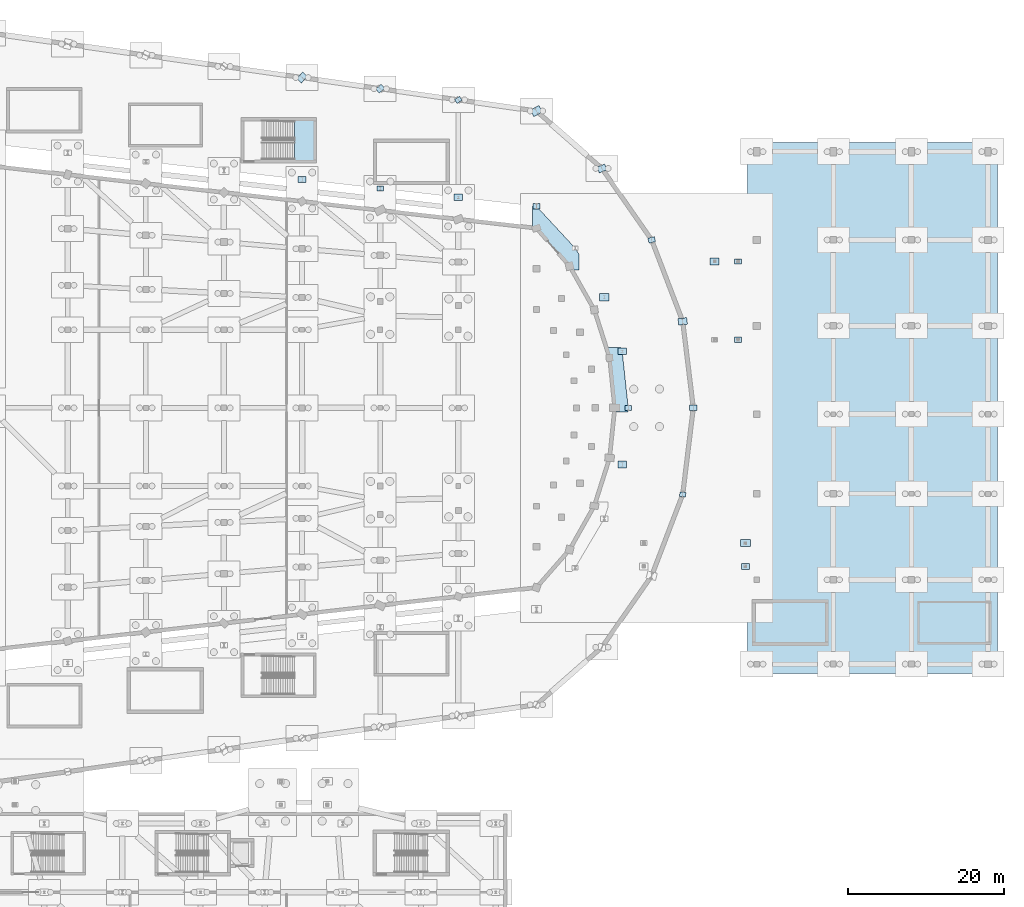
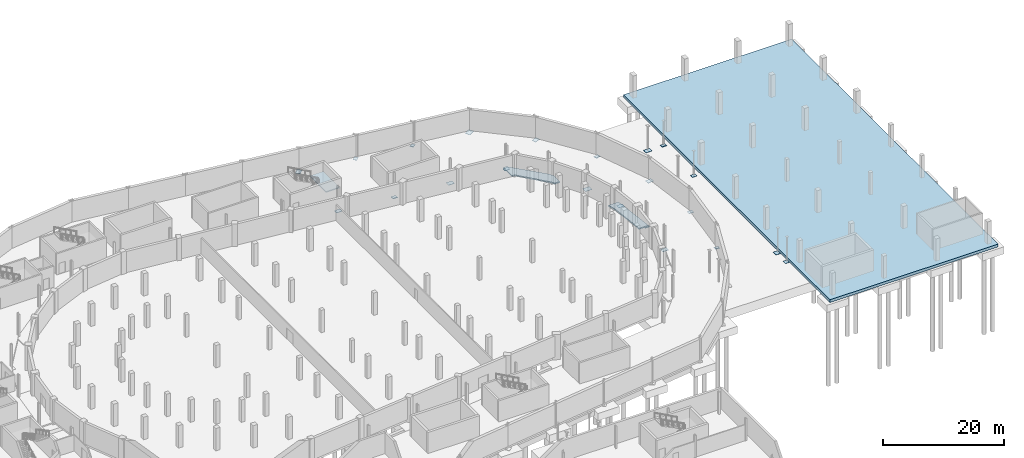
# One storey, part 37 of 55: 22 plates, 4 slabs, 1 element without a shape of its own.
"""IFC4 building model written with IfcOpenShell, lengths in metres."""

from ifc_helpers import new_model, si_unit, direction, frame, origin, origin_2d, place, context, subcontext, project, spatial, polyline, rectangle, outline, extrude, material, layer, layer_set, type_object, element, aggregate, save


model = new_model("IFC4")

# Units and contexts
model_context = context("Model", 3, precision=1e-05, world=origin(), true_north=direction((0.0, 1.0)))
body_context = subcontext(model_context, "Body", "Model", "MODEL_VIEW")
ifc_project = project(units=[si_unit("LENGTHUNIT", "METRE"), si_unit("AREAUNIT", "SQUARE_METRE"), si_unit("VOLUMEUNIT", "CUBIC_METRE"), si_unit("PLANEANGLEUNIT", "RADIAN"), si_unit("MASSUNIT", "GRAM", prefix="KILO")], contexts=[model_context])

# Site, building, storey
site_placement = place(None, origin())
site = spatial("IfcSite", under=ifc_project, at=site_placement, CompositionType="ELEMENT")
building_placement = place(site_placement, origin())
building = spatial("IfcBuilding", under=site, at=building_placement, Name="Sohan Crest Arena", CompositionType="ELEMENT")
storey_placement = place(building_placement, frame((0.0, 0.0, -4.5)))
storey = spatial("IfcBuildingStorey", under=building, at=storey_placement, Name="B1", CompositionType="ELEMENT", Elevation=-4.5)

# Slabs
ifc_material_1 = material(Name="Concrete C40/50", Category="concrete")
ifc_layer_1 = layer(ifc_material_1, 0.550048828125, Name="Concrete C40/50")
ifc_layer_set_1 = layer_set([ifc_layer_1], Name="Concrete C40/50")
slab_type_1 = type_object("IfcSlabType", Name="SL-BASE2", PredefinedType="BASESLAB", material=ifc_layer_set_1)
slab_1_placement = place(storey_placement, frame((0.0, 0.0, -0.550048828125)))
element("IfcSlab", 1, at=slab_1_placement, inside=storey, type_object=slab_type_1, Name="Practice hall B1 foundation base slab SL-B1-V4", PredefinedType="BASESLAB", context=body_context, shape_type="SweptSolid", body=[
    extrude(outline(polyline([(195.0, 44.0), (227.0, 44.0), (227.0, 112.0), (195.0, 112.0), (195.0, 44.0)])), origin(), (0.0, 0.0, 1.0), 0.550048828125),
])
ifc_layer_2 = layer(ifc_material_1, 0.25, Name="Concrete C40/50")
ifc_layer_set_2 = layer_set([ifc_layer_2], Name="Concrete C40/50")
slab_type_2 = type_object("IfcSlabType", Name="SL-FLR3", PredefinedType="FLOOR", material=ifc_layer_set_2)
slab_2_placement = place(storey_placement, frame((0.0, 0.0, -0.25)))
element("IfcSlab", 2, at=slab_2_placement, inside=storey, type_object=slab_type_2, Name="Seismic joint threshold slab B1 SL-TH-B1-23", PredefinedType="FLOOR", context=body_context, shape_type="SweptSolid", body=[
    extrude(outline(polyline([(178.971923828125, 85.251953125), (179.75, 78.0), (179.696044921875, 77.5), (177.970947265625, 77.5), (178.02294921875, 78.0), (177.363037109375, 84.406982421875), (176.93505859375, 85.751953125), (178.805908203125, 85.751953125), (178.971923828125, 85.251953125)])), origin(), (0.0, 0.0, 1.0), 0.25),
])
slab_3_placement = place(storey_placement, frame((0.0, 0.0, -0.25)))
element("IfcSlab", 3, at=slab_3_placement, inside=storey, type_object=slab_type_2, Name="Seismic joint threshold slab B1 SL-TH-B1-26", PredefinedType="FLOOR", context=body_context, shape_type="SweptSolid", body=[
    extrude(outline(polyline([(168.0, 103.800048828125), (172.9609375, 98.452880859375), (173.4609375, 97.60791015625), (173.4609375, 95.654052734375), (172.52490234375, 95.654052734375), (172.242919921875, 96.154052734375), (168.0, 101.0), (167.5, 101.056884765625), (167.5, 103.85693359375), (168.0, 103.800048828125)])), origin(), (0.0, 0.0, 1.0), 0.25),
])

# Stair, slab
stair_type = type_object("IfcStairType", Name="ST-450W", PredefinedType="TWO_STRAIGHT_RUN_STAIR", material=ifc_material_1)
stair_placement = place(storey_placement, origin())
stair = element("IfcStair", 4, at=stair_placement, inside=storey, type_object=stair_type, Name="Protected exit stair ST22-B1", PredefinedType="TWO_STRAIGHT_RUN_STAIR")
ifc_layer_3 = layer(ifc_material_1, 0.199951171875, Name="Concrete C40/50")
ifc_layer_set_3 = layer_set([ifc_layer_3], Name="Concrete C40/50")
slab_type_3 = type_object("IfcSlabType", Name="SL-LND1", PredefinedType="LANDING", material=ifc_layer_set_3)
slab_4_placement = place(storey_placement, frame((0.0, 0.0, 2.050048828125)))
slab_4 = element("IfcSlab", 5, at=slab_4_placement, type_object=slab_type_3, Name="ST22-B1 landing 1", PredefinedType="LANDING", context=body_context, shape_type="SweptSolid", body=[
    extrude(outline(polyline([(137.030029296875, 109.60009765625), (139.60009765625, 109.60009765625), (139.60009765625, 114.89990234375), (137.030029296875, 114.89990234375), (137.030029296875, 109.60009765625)])), origin(), (0.0, 0.0, 1.0), 0.199951171875),
])
aggregate(stair, [slab_4])

# Plates
ifc_material_2 = material(Name="Steel S355", Category="steel")
ifc_layer_4 = layer(ifc_material_2, 0.031982421875, Name="Steel S355")
ifc_layer_set_4 = layer_set([ifc_layer_4], Name="Steel S355")
plate_type_1 = type_object("IfcPlateType", Name="STR-PL-BP01", PredefinedType="USERDEFINED", material=ifc_layer_set_4)
for number, where, z_axis, x_axis, name in (
    (6, (179.75, 78.0, -0.5498046875), (0.0, 0.0, 1.0), (1.0, 0.0, 0.0), "Steel column base plate BP-V2I-24"),
    (7, (148.0, 106.0859375, -0.5498046875), (0.0, 0.0, 1.0), (1.0, 0.0, 0.0), "Steel column base plate BP-V2I-30"),
    (8, (182.7490234375, 99.489013671875, -0.5498046875), (0.0, 0.0, 1.0), (0.969445349895, 0.245307385879, 0.0), "Steel column base plate BP-V2O-26"),
    (9, (193.800048828125, 96.75, -0.5498046875), (0.0, 0.0, 1.0), (1.0, 0.0, 0.0), "Steel column base plate BP-BC-BR-E2-4"),
):
    element("IfcPlate", number, at=place(storey_placement, frame(where, z_axis=z_axis, x_axis=x_axis)), inside=storey, type_object=plate_type_1, Name=name, ObjectType="BASE PLATE", PredefinedType="USERDEFINED", context=body_context, shape_type="SweptSolid", body=[
        extrude(rectangle(XDim=0.85009765625, YDim=0.64990234375, at=origin_2d()), origin(), (0.0, 0.0, 1.0), 0.031982421875),
    ])
ifc_layer_5 = layer(ifc_material_2, 0.034912109375, Name="Steel S355")
ifc_layer_set_5 = layer_set([ifc_layer_5], Name="Steel S355")
plate_type_2 = type_object("IfcPlateType", Name="STR-PL-BP02", PredefinedType="USERDEFINED", material=ifc_layer_set_5)
for number, where, z_axis, x_axis, name in (
    (10, (178.971923828125, 85.251953125, -0.54931640625), (0.0, 0.0, 1.0), (1.0, 0.0, 0.0), "Steel column base plate BP-V2I-25"),
    (11, (138.0, 107.22900390625, -0.54931640625), (0.0, 0.0, 1.0), (1.0, 0.0, 0.0), "Steel column base plate BP-V2I-31"),
    (12, (176.383056640625, 108.64501953125, -0.54931640625), (0.0, 0.0, 1.0), (0.931055815863, 0.364876784338, 0.0), "Steel column base plate BP-V2O-27"),
    (13, (194.75, 57.699951171875, -0.54931640625), (0.0, 0.0, 1.0), (1.0, 0.0, 0.0), "Steel column base plate BP-BC-BR-E1-3"),
):
    element("IfcPlate", number, at=place(storey_placement, frame(where, z_axis=z_axis, x_axis=x_axis)), inside=storey, type_object=plate_type_2, Name=name, ObjectType="BASE PLATE", PredefinedType="USERDEFINED", context=body_context, shape_type="SweptSolid", body=[
        extrude(rectangle(XDim=1.050048828125, YDim=0.800048828125, at=origin_2d()), origin(), (0.0, 0.0, 1.0), 0.034912109375),
    ])
ifc_layer_6 = layer(ifc_material_2, 0.034912109375, Name="Steel S355")
ifc_layer_set_6 = layer_set([ifc_layer_6], Name="Steel S355")
plate_type_3 = type_object("IfcPlateType", Name="STR-PL-BP03", PredefinedType="USERDEFINED", material=ifc_layer_set_6)
for number, where, z_axis, x_axis, name in (
    (14, (176.674072265625, 92.175048828125, -0.54931640625), (0.0, 0.0, 1.0), (1.0, 0.0, 0.0), "Steel column base plate BP-V2I-26"),
    (15, (168.0, 116.0, -0.54931640625), (0.0, 0.0, 1.0), (0.878817112662, 0.47715876026, 0.0), "Steel column base plate BP-V2O-28"),
    (16, (194.75, 60.699951171875, -0.54931640625), (0.0, 0.0, 1.0), (1.0, 0.0, 0.0), "Steel column base plate BP-BC-BR-E1-4"),
):
    element("IfcPlate", number, at=place(storey_placement, frame(where, z_axis=z_axis, x_axis=x_axis)), inside=storey, type_object=plate_type_3, Name=name, ObjectType="BASE PLATE", PredefinedType="USERDEFINED", context=body_context, shape_type="SweptSolid", body=[
        extrude(rectangle(XDim=1.25, YDim=0.949951171875, at=origin_2d()), origin(), (0.0, 0.0, 1.0), 0.034912109375),
    ])
ifc_layer_7 = layer(ifc_material_2, 0.030029296875, Name="Steel S355")
ifc_layer_set_7 = layer_set([ifc_layer_7], Name="Steel S355")
plate_type_4 = type_object("IfcPlateType", Name="STR-PL-BP04", PredefinedType="USERDEFINED", material=ifc_layer_set_7)
for number, where, z_axis, x_axis, name in (
    (17, (186.72509765625, 66.929931640625, -0.5498046875), (0.0, 0.0, 1.0), (-0.992331937885, 0.12360147674, 0.0), "Steel column base plate BP-V2O-23"),
    (18, (158.0, 117.428955078125, -0.5498046875), (0.0, 0.0, 1.0), (0.835807361368, 0.549022817998, 0.0), "Steel column base plate BP-V2O-29"),
):
    element("IfcPlate", number, at=place(storey_placement, frame(where, z_axis=z_axis, x_axis=x_axis)), inside=storey, type_object=plate_type_4, Name=name, ObjectType="BASE PLATE", PredefinedType="USERDEFINED", context=body_context, shape_type="SweptSolid", body=[
        extrude(rectangle(XDim=0.760009765625, YDim=0.580078125, at=origin_2d()), origin(), (0.0, 0.0, 1.0), 0.030029296875),
    ])
ifc_layer_8 = layer(ifc_material_2, 0.032958984375, Name="Steel S355")
ifc_layer_set_8 = layer_set([ifc_layer_8], Name="Steel S355")
plate_type_5 = type_object("IfcPlateType", Name="STR-PL-BP05", PredefinedType="USERDEFINED", material=ifc_layer_set_8)
for number, where, z_axis, x_axis, name in (
    (19, (168.0, 103.800048828125, -0.55029296875), (0.0, 0.0, 1.0), (1.0, 0.0, 0.0), "Steel column base plate BP-V2I-28"),
    (20, (188.076904296875, 78.0, -0.55029296875), (0.0, 0.0, 1.0), (1.0, 0.0, 0.0), "Steel column base plate BP-V2O-24"),
    (21, (148.0, 118.85693359375, -0.55029296875), (0.0, 0.0, 1.0), (0.773840209727, 0.633380872628, 0.0), "Steel column base plate BP-V2O-30"),
    (22, (193.800048828125, 86.75, -0.55029296875), (0.0, 0.0, 1.0), (1.0, 0.0, 0.0), "Steel column base plate BP-BC-BR-E2-2"),
):
    element("IfcPlate", number, at=place(storey_placement, frame(where, z_axis=z_axis, x_axis=x_axis)), inside=storey, type_object=plate_type_5, Name=name, ObjectType="BASE PLATE", PredefinedType="USERDEFINED", context=body_context, shape_type="SweptSolid", body=[
        extrude(rectangle(XDim=0.919921875, YDim=0.699951171875, at=origin_2d()), origin(), (0.0, 0.0, 1.0), 0.032958984375),
    ])
ifc_layer_9 = layer(ifc_material_2, 0.035888671875, Name="Steel S355")
ifc_layer_set_9 = layer_set([ifc_layer_9], Name="Steel S355")
plate_type_6 = type_object("IfcPlateType", Name="STR-PL-BP06", PredefinedType="USERDEFINED", material=ifc_layer_set_9)
for number, where, z_axis, x_axis, name in (
    (23, (178.971923828125, 70.748046875, -0.5498046875), (0.0, 0.0, 1.0), (1.0, 0.0, 0.0), "Steel column base plate BP-V2I-23"),
    (24, (158.0, 104.943115234375, -0.5498046875), (0.0, 0.0, 1.0), (1.0, 0.0, 0.0), "Steel column base plate BP-V2I-29"),
    (25, (186.72509765625, 89.070068359375, -0.5498046875), (0.0, 0.0, 1.0), (0.992331937885, 0.12360147674, 0.0), "Steel column base plate BP-V2O-25"),
    (26, (138.0, 120.285888671875, -0.5498046875), (0.0, 0.0, 1.0), (0.687087510804, 0.726574670971, 0.0), "Steel column base plate BP-V2O-31"),
    (27, (190.800048828125, 96.75, -0.5498046875), (0.0, 0.0, 1.0), (1.0, 0.0, 0.0), "Steel column base plate BP-BC-BR-E2-3"),
):
    element("IfcPlate", number, at=place(storey_placement, frame(where, z_axis=z_axis, x_axis=x_axis)), inside=storey, type_object=plate_type_6, Name=name, ObjectType="BASE PLATE", PredefinedType="USERDEFINED", context=body_context, shape_type="SweptSolid", body=[
        extrude(rectangle(XDim=1.1201171875, YDim=0.860107421875, at=origin_2d()), origin(), (0.0, 0.0, 1.0), 0.035888671875),
    ])

save(model, "model.ifc")
